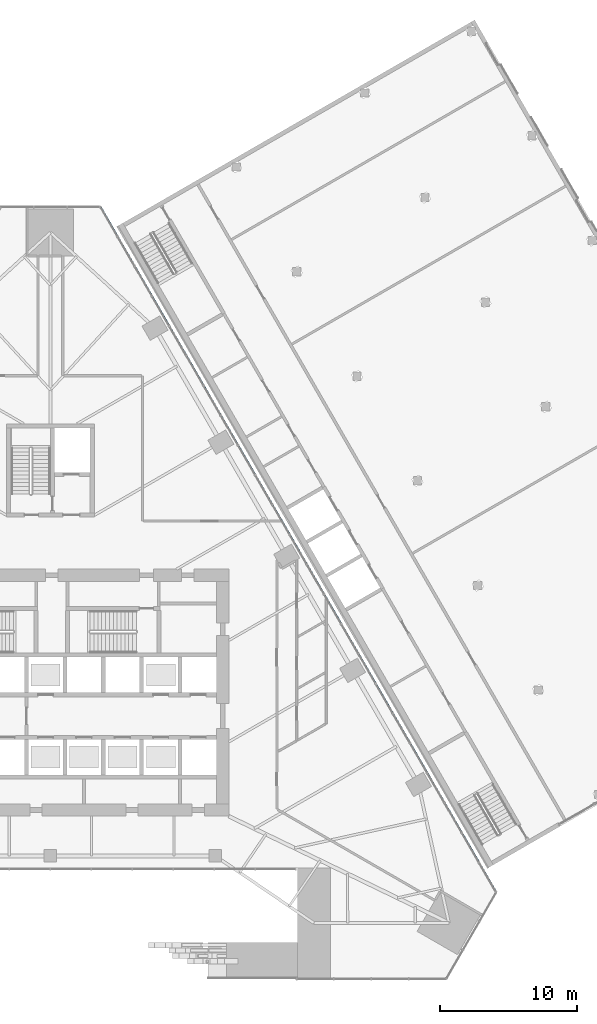
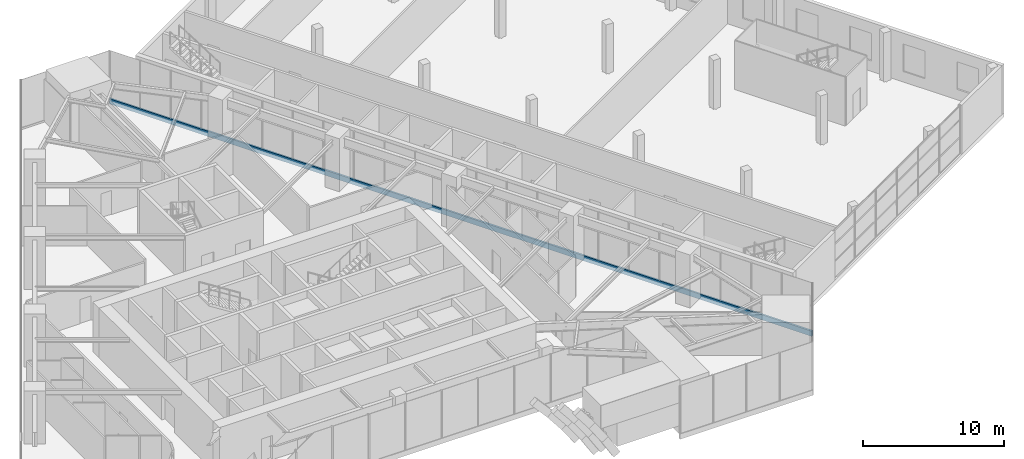
# One storey, part 9 of 29: 1 member, 1 element without a shape of its own.
"""IFC4 building model written with IfcOpenShell, lengths in metres."""

from ifc_helpers import new_model, si_unit, direction, frame, origin, origin_2d, place, context, subcontext, project, spatial, rectangle, extrude, material, layer, layer_set, material_profile, profile_set, type_object, element, aggregate, save


model = new_model("IFC4")

# Units and contexts
model_context = context("Model", 3, precision=1e-05, world=origin(), true_north=direction((0.0, 1.0)))
body_context = subcontext(model_context, "Body", "Model", "MODEL_VIEW")
ifc_project = project(units=[si_unit("LENGTHUNIT", "METRE"), si_unit("AREAUNIT", "SQUARE_METRE"), si_unit("VOLUMEUNIT", "CUBIC_METRE"), si_unit("PLANEANGLEUNIT", "RADIAN"), si_unit("MASSUNIT", "GRAM", prefix="KILO")], contexts=[model_context])

# Site, building, storey
site_placement = place(None, origin())
site = spatial("IfcSite", under=ifc_project, at=site_placement, CompositionType="ELEMENT")
building_placement = place(site_placement, origin())
building = spatial("IfcBuilding", under=site, at=building_placement, Name="Firuza Gate Tower and Library", CompositionType="ELEMENT")
storey_placement = place(building_placement, frame((0.0, 0.0, 17.199951171875)))
storey = spatial("IfcBuildingStorey", under=building, at=storey_placement, Name="L03", CompositionType="ELEMENT", Elevation=17.199951171875)

# Curtain wall, member
ifc_material_1 = material(Name="Aluminium 6063-T6", Category="aluminium")
ifc_layer = layer(ifc_material_1, 0.14990234375)
ifc_layer_set = layer_set([ifc_layer], Name="Stick curtain wall, podium")
curtain_wall_type = type_object("IfcCurtainWallType", Name="Stick curtain wall, podium", PredefinedType="NOTDEFINED", material=ifc_layer_set)
curtain_wall_placement = place(storey_placement, origin())
curtain_wall = element("IfcCurtainWall", 1, at=curtain_wall_placement, inside=storey, type_object=curtain_wall_type, Name="CW5 L03 E", PredefinedType="NOTDEFINED")
ifc_material_2 = material(Name="Aluminium 6063-T6", Category="aluminium")
ifc_material_profile = material_profile(ifc_material_2, rectangle(XDim=0.14990234375, YDim=0.449951171875, at=origin_2d()))
ifc_profile_set = profile_set([ifc_material_profile], Name="Aluminium 6063-T6")
member_type = type_object("IfcMemberType", Name="Curtain wall transom 450x150", PredefinedType="USERDEFINED", material=ifc_profile_set)
member_placement = place(storey_placement, frame((107.486572265625, 60.45068359375, -0.074951171875), z_axis=(-0.499998069382, 0.866026518424, 0.0), x_axis=(-0.866026518424, -0.499998069382, 0.0)))
member = element("IfcMember", 2, at=member_placement, type_object=member_type, Name="Transom", ObjectType="TRANSOM", PredefinedType="USERDEFINED", context=body_context, shape_type="SweptSolid", body=[
    extrude(rectangle(XDim=0.14990234375, YDim=0.449951171875, at=origin_2d()), origin(), (0.0, 0.0, 1.0), 57.686767578125),
])
aggregate(curtain_wall, [member])

save(model, "model.ifc")
